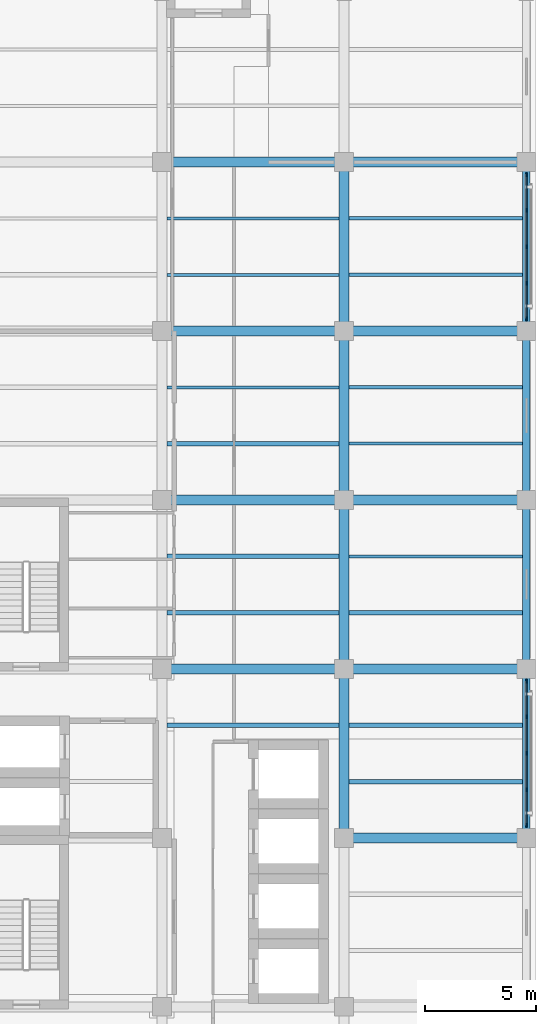
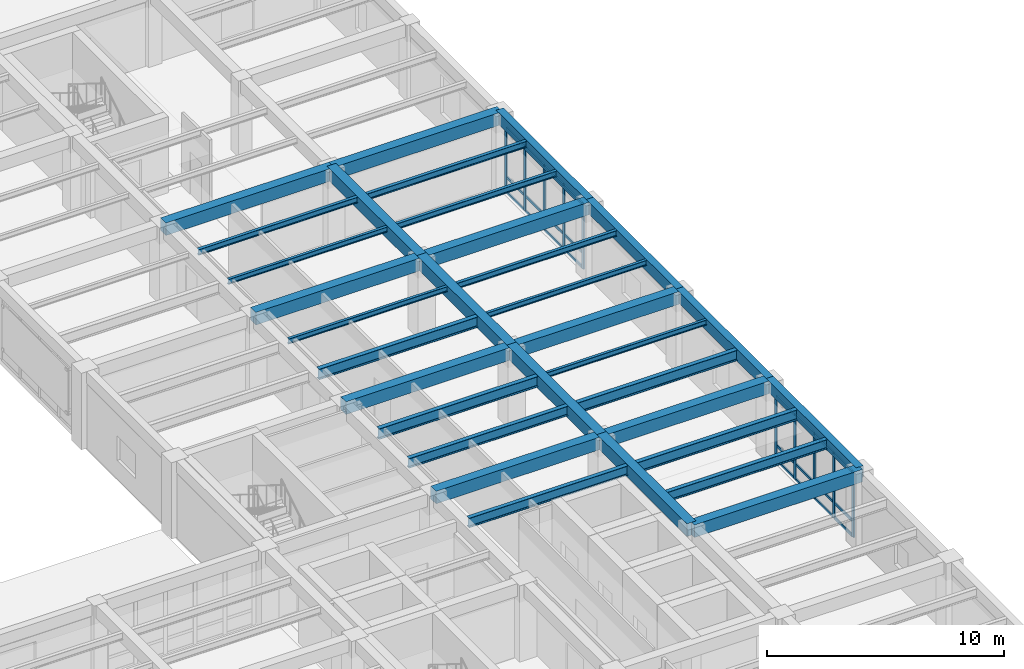
# One storey, part 7 of 22: 34 members, 32 beams, 2 elements without a shape of their own.
"""IFC4 building model written with IfcOpenShell, lengths in metres."""

from ifc_helpers import new_model, si_unit, direction, frame, origin, origin_2d, place, context, subcontext, project, spatial, rectangle, i_section, extrude, material, material_profile, profile_set, type_object, element, aggregate, save


model = new_model("IFC4")

# Units and contexts
model_context = context("Model", 3, precision=1e-05, world=origin(), true_north=direction((0.0, 1.0)))
body_context = subcontext(model_context, "Body", "Model", "MODEL_VIEW")
ifc_project = project(units=[si_unit("LENGTHUNIT", "METRE"), si_unit("AREAUNIT", "SQUARE_METRE"), si_unit("VOLUMEUNIT", "CUBIC_METRE"), si_unit("PLANEANGLEUNIT", "RADIAN"), si_unit("MASSUNIT", "GRAM", prefix="KILO")], contexts=[model_context])

# Site, building, storey
site_placement = place(None, origin())
site = spatial("IfcSite", under=ifc_project, at=site_placement, CompositionType="ELEMENT")
building_placement = place(site_placement, origin())
building = spatial("IfcBuilding", under=site, at=building_placement, Name="Qandaris Square Conservatory and Botanical Centre", CompositionType="ELEMENT")
storey_placement = place(building_placement, frame((0.0, 0.0, 19.800048828125)))
storey = spatial("IfcBuildingStorey", under=building, at=storey_placement, Name="L04", CompositionType="ELEMENT", Elevation=19.800048828125)

# Beams
ifc_material_1 = material(Name="Steel S355", Category="steel")
ifc_material_profile_1 = material_profile(ifc_material_1, i_section(OverallWidth=0.199951171875, OverallDepth=0.5, WebThickness=0.01025390625, FlangeThickness=0.01611328125, FilletRadius=0.02099609375, at=origin_2d()), Name="IPE 500")
ifc_profile_set_1 = profile_set([ifc_material_profile_1], Name="Steel S355")
beam_type_1 = type_object("IfcBeamType", Name="Composite Gallery Joist IPE 500", PredefinedType="JOIST", material=ifc_profile_set_1)
for number, where, z_axis, x_axis, name in (
    (1, (147.625, 36.86669921875, 3.679931640625), (1.0, 0.0, 0.0), (0.0, 1.0, 0.0), "L04 Composite Joist 1798"),
    (2, (147.625, 41.933349609375, 3.679931640625), (1.0, 0.0, 0.0), (0.0, 1.0, 0.0), "L04 Composite Joist 1799"),
):
    element("IfcBeam", number, at=place(storey_placement, frame(where, z_axis=z_axis, x_axis=x_axis)), inside=storey, type_object=beam_type_1, Name=name, PredefinedType="JOIST", context=body_context, shape_type="SweptSolid", body=[
        extrude(i_section(OverallWidth=0.199951171875, OverallDepth=0.5, WebThickness=0.01025390625, FlangeThickness=0.01611328125, FilletRadius=0.02099609375, at=origin_2d()), origin(), (0.0, 0.0, 1.0), 7.75),
    ])
beam_1_placement = place(storey_placement, frame((155.824951171875, 34.333251953125, 3.679931640625), z_axis=(1.0, 0.0, 0.0), x_axis=(0.0, 1.0, 0.0)))
element("IfcBeam", 3, at=beam_1_placement, inside=storey, type_object=beam_type_1, Name="L04 Composite Joist 1811", PredefinedType="JOIST", context=body_context, shape_type="SweptSolid", body=[
    extrude(i_section(OverallWidth=0.199951171875, OverallDepth=0.5, WebThickness=0.01025390625, FlangeThickness=0.01611328125, FilletRadius=0.02099609375, at=origin_2d()), origin(), (0.0, 0.0, 1.0), 7.800048828125),
])
ifc_material_profile_2 = material_profile(ifc_material_1, i_section(OverallWidth=0.14990234375, OverallDepth=0.300048828125, WebThickness=0.007080078125, FlangeThickness=0.0107421875, FilletRadius=0.014892578125, at=origin_2d()), Name="IPE 300")
ifc_profile_set_2 = profile_set([ifc_material_profile_2], Name="Steel S355")
beam_type_2 = type_object("IfcBeamType", Name="Composite Lab Joist IPE 300", PredefinedType="JOIST", material=ifc_profile_set_2)
beam_2_placement = place(storey_placement, frame((147.625, 59.666748046875, 3.780029296875), z_axis=(1.0, 0.0, 0.0), x_axis=(0.0, 1.0, 0.0)))
element("IfcBeam", 4, at=beam_2_placement, inside=storey, type_object=beam_type_2, Name="L04 Composite Joist 1804", PredefinedType="JOIST", context=body_context, shape_type="SweptSolid", body=[
    extrude(i_section(OverallWidth=0.14990234375, OverallDepth=0.300048828125, WebThickness=0.007080078125, FlangeThickness=0.0107421875, FilletRadius=0.014892578125, at=origin_2d()), origin(), (0.0, 0.0, 1.0), 7.75),
])
for number, where, z_axis, x_axis, name in (
    (5, (155.824951171875, 52.066650390625, 3.780029296875), (1.0, 0.0, 0.0), (0.0, 1.0, 0.0), "L04 Composite Joist 1816"),
    (6, (155.824951171875, 57.13330078125, 3.780029296875), (1.0, 0.0, 0.0), (0.0, 1.0, 0.0), "L04 Composite Joist 1817"),
):
    element("IfcBeam", number, at=place(storey_placement, frame(where, z_axis=z_axis, x_axis=x_axis)), inside=storey, type_object=beam_type_2, Name=name, PredefinedType="JOIST", context=body_context, shape_type="SweptSolid", body=[
        extrude(i_section(OverallWidth=0.14990234375, OverallDepth=0.300048828125, WebThickness=0.007080078125, FlangeThickness=0.0107421875, FilletRadius=0.014892578125, at=origin_2d()), origin(), (0.0, 0.0, 1.0), 7.800048828125),
    ])
ifc_material_profile_3 = material_profile(ifc_material_1, i_section(OverallWidth=0.159912109375, OverallDepth=0.330078125, WebThickness=0.007568359375, FlangeThickness=0.011474609375, FilletRadius=0.01806640625, at=origin_2d()), Name="IPE 330")
ifc_profile_set_3 = profile_set([ifc_material_profile_3], Name="Steel S355")
beam_type_3 = type_object("IfcBeamType", Name="Composite Lab Joist IPE 330", PredefinedType="JOIST", material=ifc_profile_set_3)
beam_3_placement = place(storey_placement, frame((155.824951171875, 59.666748046875, 3.764892578125), z_axis=(1.0, 0.0, 0.0), x_axis=(0.0, 1.0, 0.0)))
element("IfcBeam", 7, at=beam_3_placement, inside=storey, type_object=beam_type_3, Name="L04 Composite Joist 1818", PredefinedType="JOIST", context=body_context, shape_type="SweptSolid", body=[
    extrude(i_section(OverallWidth=0.159912109375, OverallDepth=0.330078125, WebThickness=0.007568359375, FlangeThickness=0.011474609375, FilletRadius=0.01806640625, at=origin_2d()), origin(), (0.0, 0.0, 1.0), 7.800048828125),
])

# Curtain wall, members
ifc_material_2 = material(Name="Anodised Aluminium", Category="aluminium")
curtain_wall_type = type_object("IfcCurtainWallType", Name="Unitised Curtain Wall CW-4-655x334", PredefinedType="USERDEFINED", material=ifc_material_2)
curtain_wall_1_placement = place(storey_placement, origin())
curtain_wall_1 = element("IfcCurtainWall", 8, at=curtain_wall_1_placement, inside=storey, type_object=curtain_wall_type, Name="Curtain Wall CW-TWR-L04-2-3", ObjectType="GLAZED CURTAIN WALL", PredefinedType="USERDEFINED")
ifc_material_profile_4 = material_profile(ifc_material_2, rectangle(XDim=0.06494140625, YDim=0.179931640625, at=origin_2d()), Name="ALU-MUL 65x180")
ifc_profile_set_4 = profile_set([ifc_material_profile_4], Name="Anodised Aluminium")
member_type_1 = type_object("IfcMemberType", Name="Curtain Wall Mullion 65x180", PredefinedType="MULLION", material=ifc_profile_set_4)
member_1_placement = place(storey_placement, frame((163.800048828125, 32.357421875, 0.0), z_axis=(0.0, 0.0, 1.0), x_axis=(-1.0, 0.0, 0.0)))
member_1 = element("IfcMember", 9, at=member_1_placement, type_object=member_type_1, Name="CW-4-655x334 mullion 1", PredefinedType="MULLION", context=body_context, shape_type="SweptSolid", body=[
    extrude(rectangle(XDim=0.06494140625, YDim=0.179931640625, at=origin_2d()), origin(), (0.0, 0.0, 1.0), 3.33984375),
])
member_2_placement = place(storey_placement, frame((163.800048828125, 33.96240234375, 0.0), z_axis=(0.0, 0.0, 1.0), x_axis=(-1.0, 0.0, 0.0)))
member_2 = element("IfcMember", 10, at=member_2_placement, type_object=member_type_1, Name="CW-4-655x334 mullion 2", PredefinedType="MULLION", context=body_context, shape_type="SweptSolid", body=[
    extrude(rectangle(XDim=0.06494140625, YDim=0.179931640625, at=origin_2d()), origin(), (0.0, 0.0, 1.0), 3.33984375),
])
member_3_placement = place(storey_placement, frame((163.800048828125, 35.60009765625, 0.0), z_axis=(0.0, 0.0, 1.0), x_axis=(-1.0, 0.0, 0.0)))
member_3 = element("IfcMember", 11, at=member_3_placement, type_object=member_type_1, Name="CW-4-655x334 mullion 3", PredefinedType="MULLION", context=body_context, shape_type="SweptSolid", body=[
    extrude(rectangle(XDim=0.06494140625, YDim=0.179931640625, at=origin_2d()), origin(), (0.0, 0.0, 1.0), 3.33984375),
])
member_4_placement = place(storey_placement, frame((163.800048828125, 37.237548828125, 0.0), z_axis=(0.0, 0.0, 1.0), x_axis=(-1.0, 0.0, 0.0)))
member_4 = element("IfcMember", 12, at=member_4_placement, type_object=member_type_1, Name="CW-4-655x334 mullion 4", PredefinedType="MULLION", context=body_context, shape_type="SweptSolid", body=[
    extrude(rectangle(XDim=0.06494140625, YDim=0.179931640625, at=origin_2d()), origin(), (0.0, 0.0, 1.0), 3.33984375),
])
member_5_placement = place(storey_placement, frame((163.800048828125, 38.842529296875, 0.0), z_axis=(0.0, 0.0, 1.0), x_axis=(-1.0, 0.0, 0.0)))
member_5 = element("IfcMember", 13, at=member_5_placement, type_object=member_type_1, Name="CW-4-655x334 mullion 5", PredefinedType="MULLION", context=body_context, shape_type="SweptSolid", body=[
    extrude(rectangle(XDim=0.06494140625, YDim=0.179931640625, at=origin_2d()), origin(), (0.0, 0.0, 1.0), 3.33984375),
])

curtain_wall_2_placement = place(storey_placement, origin())
curtain_wall_2 = element("IfcCurtainWall", 14, at=curtain_wall_2_placement, inside=storey, type_object=curtain_wall_type, Name="Curtain Wall CW-TWR-L04-2-6", ObjectType="GLAZED CURTAIN WALL", PredefinedType="USERDEFINED")
member_6_placement = place(storey_placement, frame((163.800048828125, 55.157470703125, 0.0), z_axis=(0.0, 0.0, 1.0), x_axis=(-1.0, 0.0, 0.0)))
member_6 = element("IfcMember", 15, at=member_6_placement, type_object=member_type_1, Name="CW-4-655x334 mullion 1", PredefinedType="MULLION", context=body_context, shape_type="SweptSolid", body=[
    extrude(rectangle(XDim=0.06494140625, YDim=0.179931640625, at=origin_2d()), origin(), (0.0, 0.0, 1.0), 3.33984375),
])
member_7_placement = place(storey_placement, frame((163.800048828125, 56.762451171875, 0.0), z_axis=(0.0, 0.0, 1.0), x_axis=(-1.0, 0.0, 0.0)))
member_7 = element("IfcMember", 16, at=member_7_placement, type_object=member_type_1, Name="CW-4-655x334 mullion 2", PredefinedType="MULLION", context=body_context, shape_type="SweptSolid", body=[
    extrude(rectangle(XDim=0.06494140625, YDim=0.179931640625, at=origin_2d()), origin(), (0.0, 0.0, 1.0), 3.33984375),
])
member_8_placement = place(storey_placement, frame((163.800048828125, 58.39990234375, 0.0), z_axis=(0.0, 0.0, 1.0), x_axis=(-1.0, 0.0, 0.0)))
member_8 = element("IfcMember", 17, at=member_8_placement, type_object=member_type_1, Name="CW-4-655x334 mullion 3", PredefinedType="MULLION", context=body_context, shape_type="SweptSolid", body=[
    extrude(rectangle(XDim=0.06494140625, YDim=0.179931640625, at=origin_2d()), origin(), (0.0, 0.0, 1.0), 3.33984375),
])
member_9_placement = place(storey_placement, frame((163.800048828125, 60.03759765625, 0.0), z_axis=(0.0, 0.0, 1.0), x_axis=(-1.0, 0.0, 0.0)))
member_9 = element("IfcMember", 18, at=member_9_placement, type_object=member_type_1, Name="CW-4-655x334 mullion 4", PredefinedType="MULLION", context=body_context, shape_type="SweptSolid", body=[
    extrude(rectangle(XDim=0.06494140625, YDim=0.179931640625, at=origin_2d()), origin(), (0.0, 0.0, 1.0), 3.33984375),
])
member_10_placement = place(storey_placement, frame((163.800048828125, 61.642578125, 0.0), z_axis=(0.0, 0.0, 1.0), x_axis=(-1.0, 0.0, 0.0)))
member_10 = element("IfcMember", 19, at=member_10_placement, type_object=member_type_1, Name="CW-4-655x334 mullion 5", PredefinedType="MULLION", context=body_context, shape_type="SweptSolid", body=[
    extrude(rectangle(XDim=0.06494140625, YDim=0.179931640625, at=origin_2d()), origin(), (0.0, 0.0, 1.0), 3.33984375),
])

# Member
ifc_material_profile_5 = material_profile(ifc_material_2, rectangle(XDim=0.06494140625, YDim=0.139892578125, at=origin_2d()), Name="ALU-TRN 65x140")
ifc_profile_set_5 = profile_set([ifc_material_profile_5], Name="Anodised Aluminium")
member_type_2 = type_object("IfcMemberType", Name="Curtain Wall Transom 65x140", PredefinedType="USERDEFINED", material=ifc_profile_set_5)
member_11_placement = place(storey_placement, frame((163.800048828125, 32.389892578125, 0.032470703125), z_axis=(0.0, 1.0, 0.0), x_axis=(-1.0, 0.0, 0.0)))
member_11 = element("IfcMember", 20, at=member_11_placement, type_object=member_type_2, Name="CW-4-655x334 transom 1.1", ObjectType="TRANSOM", PredefinedType="USERDEFINED", context=body_context, shape_type="SweptSolid", body=[
    extrude(rectangle(XDim=0.06494140625, YDim=0.139892578125, at=origin_2d()), origin(), (0.0, 0.0, 1.0), 1.5400390625),
])

member_12_placement = place(storey_placement, frame((163.800048828125, 32.389892578125, 0.801513671875), z_axis=(0.0, 1.0, 0.0), x_axis=(-1.0, 0.0, 0.0)))
member_12 = element("IfcMember", 21, at=member_12_placement, type_object=member_type_2, Name="CW-4-655x334 transom 1.2", ObjectType="TRANSOM", PredefinedType="USERDEFINED", context=body_context, shape_type="SweptSolid", body=[
    extrude(rectangle(XDim=0.06494140625, YDim=0.139892578125, at=origin_2d()), origin(), (0.0, 0.0, 1.0), 1.5400390625),
])

member_13_placement = place(storey_placement, frame((163.800048828125, 32.389892578125, 3.307373046875), z_axis=(0.0, 1.0, 0.0), x_axis=(-1.0, 0.0, 0.0)))
member_13 = element("IfcMember", 22, at=member_13_placement, type_object=member_type_2, Name="CW-4-655x334 transom 1.3", ObjectType="TRANSOM", PredefinedType="USERDEFINED", context=body_context, shape_type="SweptSolid", body=[
    extrude(rectangle(XDim=0.06494140625, YDim=0.139892578125, at=origin_2d()), origin(), (0.0, 0.0, 1.0), 1.5400390625),
])

member_14_placement = place(storey_placement, frame((163.800048828125, 33.9951171875, 0.032470703125), z_axis=(0.0, 1.0, 0.0), x_axis=(-1.0, 0.0, 0.0)))
member_14 = element("IfcMember", 23, at=member_14_placement, type_object=member_type_2, Name="CW-4-655x334 transom 2.1", ObjectType="TRANSOM", PredefinedType="USERDEFINED", context=body_context, shape_type="SweptSolid", body=[
    extrude(rectangle(XDim=0.06494140625, YDim=0.139892578125, at=origin_2d()), origin(), (0.0, 0.0, 1.0), 1.572265625),
])

member_15_placement = place(storey_placement, frame((163.800048828125, 33.9951171875, 0.801513671875), z_axis=(0.0, 1.0, 0.0), x_axis=(-1.0, 0.0, 0.0)))
member_15 = element("IfcMember", 24, at=member_15_placement, type_object=member_type_2, Name="CW-4-655x334 transom 2.2", ObjectType="TRANSOM", PredefinedType="USERDEFINED", context=body_context, shape_type="SweptSolid", body=[
    extrude(rectangle(XDim=0.06494140625, YDim=0.139892578125, at=origin_2d()), origin(), (0.0, 0.0, 1.0), 1.572265625),
])

member_16_placement = place(storey_placement, frame((163.800048828125, 33.9951171875, 3.307373046875), z_axis=(0.0, 1.0, 0.0), x_axis=(-1.0, 0.0, 0.0)))
member_16 = element("IfcMember", 25, at=member_16_placement, type_object=member_type_2, Name="CW-4-655x334 transom 2.3", ObjectType="TRANSOM", PredefinedType="USERDEFINED", context=body_context, shape_type="SweptSolid", body=[
    extrude(rectangle(XDim=0.06494140625, YDim=0.139892578125, at=origin_2d()), origin(), (0.0, 0.0, 1.0), 1.572265625),
])

member_17_placement = place(storey_placement, frame((163.800048828125, 35.632568359375, 0.032470703125), z_axis=(0.0, 1.0, 0.0), x_axis=(-1.0, 0.0, 0.0)))
member_17 = element("IfcMember", 26, at=member_17_placement, type_object=member_type_2, Name="CW-4-655x334 transom 3.1", ObjectType="TRANSOM", PredefinedType="USERDEFINED", context=body_context, shape_type="SweptSolid", body=[
    extrude(rectangle(XDim=0.06494140625, YDim=0.139892578125, at=origin_2d()), origin(), (0.0, 0.0, 1.0), 1.572509765625),
])

member_18_placement = place(storey_placement, frame((163.800048828125, 35.632568359375, 0.801513671875), z_axis=(0.0, 1.0, 0.0), x_axis=(-1.0, 0.0, 0.0)))
member_18 = element("IfcMember", 27, at=member_18_placement, type_object=member_type_2, Name="CW-4-655x334 transom 3.2", ObjectType="TRANSOM", PredefinedType="USERDEFINED", context=body_context, shape_type="SweptSolid", body=[
    extrude(rectangle(XDim=0.06494140625, YDim=0.139892578125, at=origin_2d()), origin(), (0.0, 0.0, 1.0), 1.572509765625),
])

member_19_placement = place(storey_placement, frame((163.800048828125, 35.632568359375, 3.307373046875), z_axis=(0.0, 1.0, 0.0), x_axis=(-1.0, 0.0, 0.0)))
member_19 = element("IfcMember", 28, at=member_19_placement, type_object=member_type_2, Name="CW-4-655x334 transom 3.3", ObjectType="TRANSOM", PredefinedType="USERDEFINED", context=body_context, shape_type="SweptSolid", body=[
    extrude(rectangle(XDim=0.06494140625, YDim=0.139892578125, at=origin_2d()), origin(), (0.0, 0.0, 1.0), 1.572509765625),
])

member_20_placement = place(storey_placement, frame((163.800048828125, 37.27001953125, 0.032470703125), z_axis=(0.0, 1.0, 0.0), x_axis=(-1.0, 0.0, 0.0)))
member_20 = element("IfcMember", 29, at=member_20_placement, type_object=member_type_2, Name="CW-4-655x334 transom 4.1", ObjectType="TRANSOM", PredefinedType="USERDEFINED", context=body_context, shape_type="SweptSolid", body=[
    extrude(rectangle(XDim=0.06494140625, YDim=0.139892578125, at=origin_2d()), origin(), (0.0, 0.0, 1.0), 1.5400390625),
])

member_21_placement = place(storey_placement, frame((163.800048828125, 37.27001953125, 0.801513671875), z_axis=(0.0, 1.0, 0.0), x_axis=(-1.0, 0.0, 0.0)))
member_21 = element("IfcMember", 30, at=member_21_placement, type_object=member_type_2, Name="CW-4-655x334 transom 4.2", ObjectType="TRANSOM", PredefinedType="USERDEFINED", context=body_context, shape_type="SweptSolid", body=[
    extrude(rectangle(XDim=0.06494140625, YDim=0.139892578125, at=origin_2d()), origin(), (0.0, 0.0, 1.0), 1.5400390625),
])

member_22_placement = place(storey_placement, frame((163.800048828125, 37.27001953125, 3.307373046875), z_axis=(0.0, 1.0, 0.0), x_axis=(-1.0, 0.0, 0.0)))
member_22 = element("IfcMember", 31, at=member_22_placement, type_object=member_type_2, Name="CW-4-655x334 transom 4.3", ObjectType="TRANSOM", PredefinedType="USERDEFINED", context=body_context, shape_type="SweptSolid", body=[
    extrude(rectangle(XDim=0.06494140625, YDim=0.139892578125, at=origin_2d()), origin(), (0.0, 0.0, 1.0), 1.5400390625),
])

aggregate(curtain_wall_1, [member_1, member_2, member_3, member_4, member_5, member_11, member_12, member_13, member_14, member_15, member_16, member_17, member_18, member_19, member_20, member_21, member_22])

member_23_placement = place(storey_placement, frame((163.800048828125, 55.18994140625, 0.032470703125), z_axis=(0.0, 1.0, 0.0), x_axis=(-1.0, 0.0, 0.0)))
member_23 = element("IfcMember", 32, at=member_23_placement, type_object=member_type_2, Name="CW-4-655x334 transom 1.1", ObjectType="TRANSOM", PredefinedType="USERDEFINED", context=body_context, shape_type="SweptSolid", body=[
    extrude(rectangle(XDim=0.06494140625, YDim=0.139892578125, at=origin_2d()), origin(), (0.0, 0.0, 1.0), 1.5400390625),
])

member_24_placement = place(storey_placement, frame((163.800048828125, 55.18994140625, 0.801513671875), z_axis=(0.0, 1.0, 0.0), x_axis=(-1.0, 0.0, 0.0)))
member_24 = element("IfcMember", 33, at=member_24_placement, type_object=member_type_2, Name="CW-4-655x334 transom 1.2", ObjectType="TRANSOM", PredefinedType="USERDEFINED", context=body_context, shape_type="SweptSolid", body=[
    extrude(rectangle(XDim=0.06494140625, YDim=0.139892578125, at=origin_2d()), origin(), (0.0, 0.0, 1.0), 1.5400390625),
])

member_25_placement = place(storey_placement, frame((163.800048828125, 55.18994140625, 3.307373046875), z_axis=(0.0, 1.0, 0.0), x_axis=(-1.0, 0.0, 0.0)))
member_25 = element("IfcMember", 34, at=member_25_placement, type_object=member_type_2, Name="CW-4-655x334 transom 1.3", ObjectType="TRANSOM", PredefinedType="USERDEFINED", context=body_context, shape_type="SweptSolid", body=[
    extrude(rectangle(XDim=0.06494140625, YDim=0.139892578125, at=origin_2d()), origin(), (0.0, 0.0, 1.0), 1.5400390625),
])

member_26_placement = place(storey_placement, frame((163.800048828125, 56.794921875, 0.032470703125), z_axis=(0.0, 1.0, 0.0), x_axis=(-1.0, 0.0, 0.0)))
member_26 = element("IfcMember", 35, at=member_26_placement, type_object=member_type_2, Name="CW-4-655x334 transom 2.1", ObjectType="TRANSOM", PredefinedType="USERDEFINED", context=body_context, shape_type="SweptSolid", body=[
    extrude(rectangle(XDim=0.06494140625, YDim=0.139892578125, at=origin_2d()), origin(), (0.0, 0.0, 1.0), 1.572509765625),
])

member_27_placement = place(storey_placement, frame((163.800048828125, 56.794921875, 0.801513671875), z_axis=(0.0, 1.0, 0.0), x_axis=(-1.0, 0.0, 0.0)))
member_27 = element("IfcMember", 36, at=member_27_placement, type_object=member_type_2, Name="CW-4-655x334 transom 2.2", ObjectType="TRANSOM", PredefinedType="USERDEFINED", context=body_context, shape_type="SweptSolid", body=[
    extrude(rectangle(XDim=0.06494140625, YDim=0.139892578125, at=origin_2d()), origin(), (0.0, 0.0, 1.0), 1.572509765625),
])

member_28_placement = place(storey_placement, frame((163.800048828125, 56.794921875, 3.307373046875), z_axis=(0.0, 1.0, 0.0), x_axis=(-1.0, 0.0, 0.0)))
member_28 = element("IfcMember", 37, at=member_28_placement, type_object=member_type_2, Name="CW-4-655x334 transom 2.3", ObjectType="TRANSOM", PredefinedType="USERDEFINED", context=body_context, shape_type="SweptSolid", body=[
    extrude(rectangle(XDim=0.06494140625, YDim=0.139892578125, at=origin_2d()), origin(), (0.0, 0.0, 1.0), 1.572509765625),
])

member_29_placement = place(storey_placement, frame((163.800048828125, 58.4326171875, 0.032470703125), z_axis=(0.0, 1.0, 0.0), x_axis=(-1.0, 0.0, 0.0)))
member_29 = element("IfcMember", 38, at=member_29_placement, type_object=member_type_2, Name="CW-4-655x334 transom 3.1", ObjectType="TRANSOM", PredefinedType="USERDEFINED", context=body_context, shape_type="SweptSolid", body=[
    extrude(rectangle(XDim=0.06494140625, YDim=0.139892578125, at=origin_2d()), origin(), (0.0, 0.0, 1.0), 1.572265625),
])

member_30_placement = place(storey_placement, frame((163.800048828125, 58.4326171875, 0.801513671875), z_axis=(0.0, 1.0, 0.0), x_axis=(-1.0, 0.0, 0.0)))
member_30 = element("IfcMember", 39, at=member_30_placement, type_object=member_type_2, Name="CW-4-655x334 transom 3.2", ObjectType="TRANSOM", PredefinedType="USERDEFINED", context=body_context, shape_type="SweptSolid", body=[
    extrude(rectangle(XDim=0.06494140625, YDim=0.139892578125, at=origin_2d()), origin(), (0.0, 0.0, 1.0), 1.572265625),
])

member_31_placement = place(storey_placement, frame((163.800048828125, 58.4326171875, 3.307373046875), z_axis=(0.0, 1.0, 0.0), x_axis=(-1.0, 0.0, 0.0)))
member_31 = element("IfcMember", 40, at=member_31_placement, type_object=member_type_2, Name="CW-4-655x334 transom 3.3", ObjectType="TRANSOM", PredefinedType="USERDEFINED", context=body_context, shape_type="SweptSolid", body=[
    extrude(rectangle(XDim=0.06494140625, YDim=0.139892578125, at=origin_2d()), origin(), (0.0, 0.0, 1.0), 1.572265625),
])

member_32_placement = place(storey_placement, frame((163.800048828125, 60.070068359375, 0.032470703125), z_axis=(0.0, 1.0, 0.0), x_axis=(-1.0, 0.0, 0.0)))
member_32 = element("IfcMember", 41, at=member_32_placement, type_object=member_type_2, Name="CW-4-655x334 transom 4.1", ObjectType="TRANSOM", PredefinedType="USERDEFINED", context=body_context, shape_type="SweptSolid", body=[
    extrude(rectangle(XDim=0.06494140625, YDim=0.139892578125, at=origin_2d()), origin(), (0.0, 0.0, 1.0), 1.5400390625),
])

member_33_placement = place(storey_placement, frame((163.800048828125, 60.070068359375, 0.801513671875), z_axis=(0.0, 1.0, 0.0), x_axis=(-1.0, 0.0, 0.0)))
member_33 = element("IfcMember", 42, at=member_33_placement, type_object=member_type_2, Name="CW-4-655x334 transom 4.2", ObjectType="TRANSOM", PredefinedType="USERDEFINED", context=body_context, shape_type="SweptSolid", body=[
    extrude(rectangle(XDim=0.06494140625, YDim=0.139892578125, at=origin_2d()), origin(), (0.0, 0.0, 1.0), 1.5400390625),
])

member_34_placement = place(storey_placement, frame((163.800048828125, 60.070068359375, 3.307373046875), z_axis=(0.0, 1.0, 0.0), x_axis=(-1.0, 0.0, 0.0)))
member_34 = element("IfcMember", 43, at=member_34_placement, type_object=member_type_2, Name="CW-4-655x334 transom 4.3", ObjectType="TRANSOM", PredefinedType="USERDEFINED", context=body_context, shape_type="SweptSolid", body=[
    extrude(rectangle(XDim=0.06494140625, YDim=0.139892578125, at=origin_2d()), origin(), (0.0, 0.0, 1.0), 1.5400390625),
])

aggregate(curtain_wall_2, [member_6, member_7, member_8, member_9, member_10, member_23, member_24, member_25, member_26, member_27, member_28, member_29, member_30, member_31, member_32, member_33, member_34])

# Beams
ifc_material_profile_6 = material_profile(ifc_material_1, i_section(OverallWidth=0.2099609375, OverallDepth=0.550048828125, WebThickness=0.010986328125, FlangeThickness=0.01708984375, FilletRadius=0.02392578125, at=origin_2d()), Name="IPE 550")
ifc_profile_set_6 = profile_set([ifc_material_profile_6], Name="Steel S355")
beam_type_4 = type_object("IfcBeamType", Name="Long-Span Foyer Joist IPE 550", PredefinedType="JOIST", material=ifc_profile_set_6)
for number, where, z_axis, x_axis, name in (
    (44, (147.625, 44.466796875, 3.655029296875), (1.0, 0.0, 0.0), (0.0, 1.0, 0.0), "L04 Composite Joist 1800"),
    (45, (147.625, 49.533203125, 3.655029296875), (1.0, 0.0, 0.0), (0.0, 1.0, 0.0), "L04 Composite Joist 1801"),
):
    element("IfcBeam", number, at=place(storey_placement, frame(where, z_axis=z_axis, x_axis=x_axis)), inside=storey, type_object=beam_type_4, Name=name, PredefinedType="JOIST", context=body_context, shape_type="SweptSolid", body=[
        extrude(i_section(OverallWidth=0.2099609375, OverallDepth=0.550048828125, WebThickness=0.010986328125, FlangeThickness=0.01708984375, FilletRadius=0.02392578125, at=origin_2d()), origin(), (0.0, 0.0, 1.0), 7.75),
    ])
for number, where, z_axis, x_axis, name in (
    (46, (155.824951171875, 36.86669921875, 3.655029296875), (1.0, 0.0, 0.0), (0.0, 1.0, 0.0), "L04 Composite Joist 1812"),
    (47, (155.824951171875, 41.933349609375, 3.655029296875), (1.0, 0.0, 0.0), (0.0, 1.0, 0.0), "L04 Composite Joist 1813"),
):
    element("IfcBeam", number, at=place(storey_placement, frame(where, z_axis=z_axis, x_axis=x_axis)), inside=storey, type_object=beam_type_4, Name=name, PredefinedType="JOIST", context=body_context, shape_type="SweptSolid", body=[
        extrude(i_section(OverallWidth=0.2099609375, OverallDepth=0.550048828125, WebThickness=0.010986328125, FlangeThickness=0.01708984375, FilletRadius=0.02392578125, at=origin_2d()), origin(), (0.0, 0.0, 1.0), 7.800048828125),
    ])
ifc_material_3 = material(Name="Concrete C50/60", Category="concrete")
ifc_material_profile_7 = material_profile(ifc_material_3, rectangle(XDim=0.35009765625, YDim=0.60009765625, at=origin_2d()), Name="RC-SP 350x600")
ifc_profile_set_7 = profile_set([ifc_material_profile_7], Name="Concrete C50/60")
beam_type_5 = type_object("IfcBeamType", Name="RC Edge Spandrel Beam 350x600", PredefinedType="SPANDREL", material=ifc_profile_set_7)
beam_4_placement = place(storey_placement, frame((163.800048828125, 31.800048828125, 3.639892578125), z_axis=(0.0, 1.0, 0.0), x_axis=(-1.0, 0.0, 0.0)))
element("IfcBeam", 48, at=beam_4_placement, inside=storey, type_object=beam_type_5, Name="L04 Frame Beam 1761", PredefinedType="SPANDREL", context=body_context, shape_type="SweptSolid", body=[
    extrude(rectangle(XDim=0.35009765625, YDim=0.60009765625, at=origin_2d()), origin(), (0.0, 0.0, 1.0), 7.599853515625),
])
for number, where, z_axis, x_axis, name in (
    (49, (163.800048828125, 39.39990234375, 3.639892578125), (0.0, 1.0, 0.0), (-1.0, 0.0, 0.0), "L04 Frame Beam 1762"),
    (50, (163.800048828125, 47.0, 3.639892578125), (0.0, 1.0, 0.0), (-1.0, 0.0, 0.0), "L04 Frame Beam 1763"),
):
    element("IfcBeam", number, at=place(storey_placement, frame(where, z_axis=z_axis, x_axis=x_axis)), inside=storey, type_object=beam_type_5, Name=name, PredefinedType="SPANDREL", context=body_context, shape_type="SweptSolid", body=[
        extrude(rectangle(XDim=0.35009765625, YDim=0.60009765625, at=origin_2d()), origin(), (0.0, 0.0, 1.0), 7.60009765625),
    ])
beam_5_placement = place(storey_placement, frame((163.800048828125, 54.60009765625, 3.639892578125), z_axis=(0.0, 1.0, 0.0), x_axis=(-1.0, 0.0, 0.0)))
element("IfcBeam", 51, at=beam_5_placement, inside=storey, type_object=beam_type_5, Name="L04 Frame Beam 1764", PredefinedType="SPANDREL", context=body_context, shape_type="SweptSolid", body=[
    extrude(rectangle(XDim=0.35009765625, YDim=0.60009765625, at=origin_2d()), origin(), (0.0, 0.0, 1.0), 7.599853515625),
])
ifc_material_profile_8 = material_profile(ifc_material_3, rectangle(XDim=0.449951171875, YDim=0.64990234375, at=origin_2d()), Name="RC-BM 450x650")
ifc_profile_set_8 = profile_set([ifc_material_profile_8], Name="Concrete C50/60")
beam_type_6 = type_object("IfcBeamType", Name="RC Floor Girder 450x650", PredefinedType="BEAM", material=ifc_profile_set_8)
beam_6_placement = place(storey_placement, frame((155.60009765625, 31.800048828125, 3.614990234375), z_axis=(1.0, 0.0, 0.0), x_axis=(0.0, 1.0, 0.0)))
element("IfcBeam", 52, at=beam_6_placement, inside=storey, type_object=beam_type_6, Name="L04 Frame Beam 1705", PredefinedType="BEAM", context=body_context, shape_type="SweptSolid", body=[
    extrude(rectangle(XDim=0.449951171875, YDim=0.64990234375, at=origin_2d()), origin(), (0.0, 0.0, 1.0), 8.199951171875),
])
beam_7_placement = place(storey_placement, frame((147.39990234375, 39.39990234375, 3.614990234375), z_axis=(1.0, 0.0, 0.0), x_axis=(0.0, 1.0, 0.0)))
element("IfcBeam", 53, at=beam_7_placement, inside=storey, type_object=beam_type_6, Name="L04 Frame Beam 1710", PredefinedType="BEAM", context=body_context, shape_type="SweptSolid", body=[
    extrude(rectangle(XDim=0.449951171875, YDim=0.64990234375, at=origin_2d()), origin(), (0.0, 0.0, 1.0), 8.2001953125),
])
beam_8_placement = place(storey_placement, frame((155.60009765625, 39.39990234375, 3.614990234375), z_axis=(1.0, 0.0, 0.0), x_axis=(0.0, 1.0, 0.0)))
element("IfcBeam", 54, at=beam_8_placement, inside=storey, type_object=beam_type_6, Name="L04 Frame Beam 1711", PredefinedType="BEAM", context=body_context, shape_type="SweptSolid", body=[
    extrude(rectangle(XDim=0.449951171875, YDim=0.64990234375, at=origin_2d()), origin(), (0.0, 0.0, 1.0), 8.199951171875),
])
beam_9_placement = place(storey_placement, frame((147.39990234375, 47.0, 3.614990234375), z_axis=(1.0, 0.0, 0.0), x_axis=(0.0, 1.0, 0.0)))
element("IfcBeam", 55, at=beam_9_placement, inside=storey, type_object=beam_type_6, Name="L04 Frame Beam 1713", PredefinedType="BEAM", context=body_context, shape_type="SweptSolid", body=[
    extrude(rectangle(XDim=0.449951171875, YDim=0.64990234375, at=origin_2d()), origin(), (0.0, 0.0, 1.0), 8.2001953125),
])
beam_10_placement = place(storey_placement, frame((155.60009765625, 47.0, 3.614990234375), z_axis=(1.0, 0.0, 0.0), x_axis=(0.0, 1.0, 0.0)))
element("IfcBeam", 56, at=beam_10_placement, inside=storey, type_object=beam_type_6, Name="L04 Frame Beam 1714", PredefinedType="BEAM", context=body_context, shape_type="SweptSolid", body=[
    extrude(rectangle(XDim=0.449951171875, YDim=0.64990234375, at=origin_2d()), origin(), (0.0, 0.0, 1.0), 8.199951171875),
])
beam_11_placement = place(storey_placement, frame((147.39990234375, 54.60009765625, 3.614990234375), z_axis=(1.0, 0.0, 0.0), x_axis=(0.0, 1.0, 0.0)))
element("IfcBeam", 57, at=beam_11_placement, inside=storey, type_object=beam_type_6, Name="L04 Frame Beam 1716", PredefinedType="BEAM", context=body_context, shape_type="SweptSolid", body=[
    extrude(rectangle(XDim=0.449951171875, YDim=0.64990234375, at=origin_2d()), origin(), (0.0, 0.0, 1.0), 8.2001953125),
])
beam_12_placement = place(storey_placement, frame((155.60009765625, 54.60009765625, 3.614990234375), z_axis=(1.0, 0.0, 0.0), x_axis=(0.0, 1.0, 0.0)))
element("IfcBeam", 58, at=beam_12_placement, inside=storey, type_object=beam_type_6, Name="L04 Frame Beam 1717", PredefinedType="BEAM", context=body_context, shape_type="SweptSolid", body=[
    extrude(rectangle(XDim=0.449951171875, YDim=0.64990234375, at=origin_2d()), origin(), (0.0, 0.0, 1.0), 8.199951171875),
])
beam_13_placement = place(storey_placement, frame((147.39990234375, 62.199951171875, 3.614990234375), z_axis=(1.0, 0.0, 0.0), x_axis=(0.0, 1.0, 0.0)))
element("IfcBeam", 59, at=beam_13_placement, inside=storey, type_object=beam_type_6, Name="L04 Frame Beam 1719", PredefinedType="BEAM", context=body_context, shape_type="SweptSolid", body=[
    extrude(rectangle(XDim=0.449951171875, YDim=0.64990234375, at=origin_2d()), origin(), (0.0, 0.0, 1.0), 8.2001953125),
])
beam_14_placement = place(storey_placement, frame((155.60009765625, 62.199951171875, 3.614990234375), z_axis=(1.0, 0.0, 0.0), x_axis=(0.0, 1.0, 0.0)))
element("IfcBeam", 60, at=beam_14_placement, inside=storey, type_object=beam_type_6, Name="L04 Frame Beam 1720", PredefinedType="BEAM", context=body_context, shape_type="SweptSolid", body=[
    extrude(rectangle(XDim=0.449951171875, YDim=0.64990234375, at=origin_2d()), origin(), (0.0, 0.0, 1.0), 8.199951171875),
])
beam_15_placement = place(storey_placement, frame((155.60009765625, 31.800048828125, 3.614990234375), z_axis=(0.0, 1.0, 0.0), x_axis=(-1.0, 0.0, 0.0)))
element("IfcBeam", 61, at=beam_15_placement, inside=storey, type_object=beam_type_6, Name="L04 Frame Beam 1753", PredefinedType="BEAM", context=body_context, shape_type="SweptSolid", body=[
    extrude(rectangle(XDim=0.449951171875, YDim=0.64990234375, at=origin_2d()), origin(), (0.0, 0.0, 1.0), 7.599853515625),
])
for number, where, z_axis, x_axis, name in (
    (62, (155.60009765625, 39.39990234375, 3.614990234375), (0.0, 1.0, 0.0), (-1.0, 0.0, 0.0), "L04 Frame Beam 1754"),
    (63, (155.60009765625, 47.0, 3.614990234375), (0.0, 1.0, 0.0), (-1.0, 0.0, 0.0), "L04 Frame Beam 1755"),
):
    element("IfcBeam", number, at=place(storey_placement, frame(where, z_axis=z_axis, x_axis=x_axis)), inside=storey, type_object=beam_type_6, Name=name, PredefinedType="BEAM", context=body_context, shape_type="SweptSolid", body=[
        extrude(rectangle(XDim=0.449951171875, YDim=0.64990234375, at=origin_2d()), origin(), (0.0, 0.0, 1.0), 7.60009765625),
    ])
beam_16_placement = place(storey_placement, frame((155.60009765625, 54.60009765625, 3.614990234375), z_axis=(0.0, 1.0, 0.0), x_axis=(-1.0, 0.0, 0.0)))
element("IfcBeam", 64, at=beam_16_placement, inside=storey, type_object=beam_type_6, Name="L04 Frame Beam 1756", PredefinedType="BEAM", context=body_context, shape_type="SweptSolid", body=[
    extrude(rectangle(XDim=0.449951171875, YDim=0.64990234375, at=origin_2d()), origin(), (0.0, 0.0, 1.0), 7.599853515625),
])
ifc_material_profile_9 = material_profile(ifc_material_1, i_section(OverallWidth=0.135009765625, OverallDepth=0.27001953125, WebThickness=0.006591796875, FlangeThickness=0.01025390625, FilletRadius=0.014892578125, at=origin_2d()), Name="IPE 270")
ifc_profile_set_9 = profile_set([ifc_material_profile_9], Name="Steel S355")
beam_type_7 = type_object("IfcBeamType", Name="Steel Floor Joist IPE 270", PredefinedType="JOIST", material=ifc_profile_set_9)
for number, where, z_axis, x_axis, name in (
    (65, (147.625, 52.066650390625, 3.794921875), (1.0, 0.0, 0.0), (0.0, 1.0, 0.0), "L04 Composite Joist 1802"),
    (66, (147.625, 57.13330078125, 3.794921875), (1.0, 0.0, 0.0), (0.0, 1.0, 0.0), "L04 Composite Joist 1803"),
):
    element("IfcBeam", number, at=place(storey_placement, frame(where, z_axis=z_axis, x_axis=x_axis)), inside=storey, type_object=beam_type_7, Name=name, PredefinedType="JOIST", context=body_context, shape_type="SweptSolid", body=[
        extrude(i_section(OverallWidth=0.135009765625, OverallDepth=0.27001953125, WebThickness=0.006591796875, FlangeThickness=0.01025390625, FilletRadius=0.014892578125, at=origin_2d()), origin(), (0.0, 0.0, 1.0), 7.75),
    ])
for number, where, z_axis, x_axis, name in (
    (67, (155.824951171875, 44.466796875, 3.794921875), (1.0, 0.0, 0.0), (0.0, 1.0, 0.0), "L04 Composite Joist 1814"),
    (68, (155.824951171875, 49.533203125, 3.794921875), (1.0, 0.0, 0.0), (0.0, 1.0, 0.0), "L04 Composite Joist 1815"),
):
    element("IfcBeam", number, at=place(storey_placement, frame(where, z_axis=z_axis, x_axis=x_axis)), inside=storey, type_object=beam_type_7, Name=name, PredefinedType="JOIST", context=body_context, shape_type="SweptSolid", body=[
        extrude(i_section(OverallWidth=0.135009765625, OverallDepth=0.27001953125, WebThickness=0.006591796875, FlangeThickness=0.01025390625, FilletRadius=0.014892578125, at=origin_2d()), origin(), (0.0, 0.0, 1.0), 7.800048828125),
    ])

save(model, "model.ifc")
